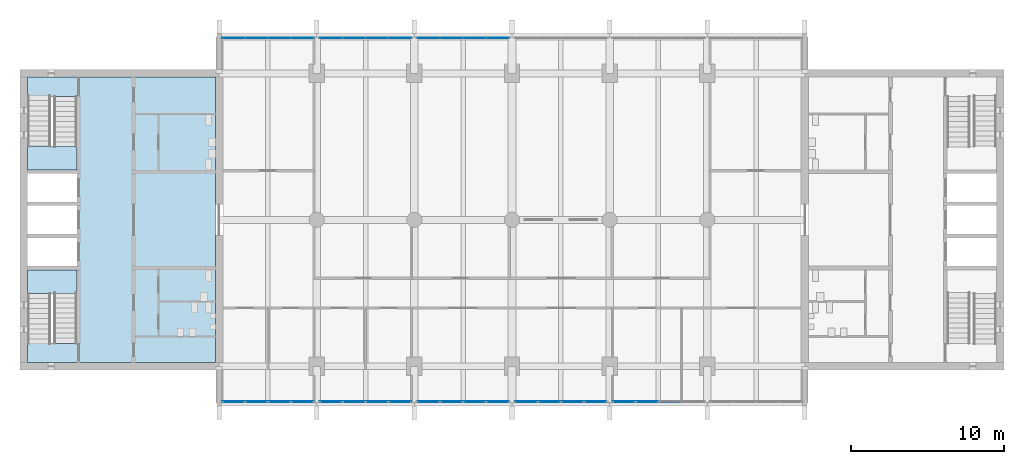
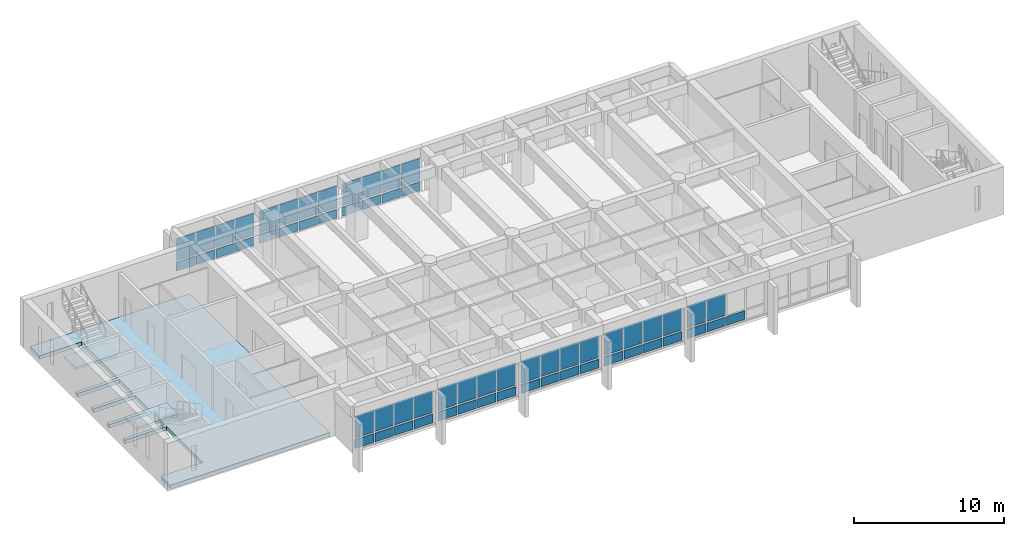
# One storey, part 7 of 15: 61 plates, 3 slabs, 10 elements without a shape of their own.
"""IFC4 building model written with IfcOpenShell, lengths in metres."""

from ifc_helpers import new_model, si_unit, direction, frame, origin, origin_2d, place, context, subcontext, project, spatial, polyline, rectangle, outline, extrude, material, layer, layer_set, type_object, element, aggregate, save


model = new_model("IFC4")

# Units and contexts
model_context = context("Model", 3, precision=1e-05, world=origin(), true_north=direction((0.0, 1.0)))
body_context = subcontext(model_context, "Body", "Model", "MODEL_VIEW")
ifc_project = project(units=[si_unit("LENGTHUNIT", "METRE"), si_unit("AREAUNIT", "SQUARE_METRE"), si_unit("VOLUMEUNIT", "CUBIC_METRE"), si_unit("PLANEANGLEUNIT", "RADIAN"), si_unit("MASSUNIT", "GRAM", prefix="KILO")], contexts=[model_context])

# Site, building, storey
site_placement = place(None, origin())
site = spatial("IfcSite", under=ifc_project, at=site_placement, CompositionType="ELEMENT")
building_placement = place(site_placement, origin())
building = spatial("IfcBuilding", under=site, at=building_placement, Name="Fogon Plaza Fire Station and Headquarters Tower", CompositionType="ELEMENT")
storey_placement = place(building_placement, frame((0.0, 0.0, 28.800048828125)))
storey = spatial("IfcBuildingStorey", under=building, at=storey_placement, Name="L07", CompositionType="ELEMENT", Elevation=28.800048828125)

# Slab
ifc_material_1 = material(Name="Concrete C40", Category="concrete")
ifc_layer_1 = layer(ifc_material_1, 0.300048828125)
ifc_layer_set_1 = layer_set([ifc_layer_1], Name="Concrete C40")
slab_type_1 = type_object("IfcSlabType", Name="Core Floor Slab RC 300", PredefinedType="FLOOR", material=ifc_layer_set_1)
slab_1_placement = place(storey_placement, frame((0.0, 0.0, -0.300048828125)))
element("IfcSlab", 1, at=slab_1_placement, inside=storey, type_object=slab_type_1, Name="Core A floor", PredefinedType="FLOOR", context=body_context, shape_type="SweptSolid", body=[
    extrude(outline(polyline([(13.050048828125, 35.110107421875), (13.050048828125, 33.85009765625), (25.35009765625, 33.85009765625), (25.35009765625, 52.550048828125), (13.050048828125, 52.550048828125), (13.050048828125, 51.2900390625), (16.27490234375, 51.2900390625), (16.27490234375, 46.47509765625), (13.050048828125, 46.47509765625), (13.050048828125, 46.22509765625), (16.27490234375, 46.22509765625), (16.27490234375, 44.375), (13.050048828125, 44.375), (13.050048828125, 44.125), (16.27490234375, 44.125), (16.27490234375, 42.27490234375), (13.050048828125, 42.27490234375), (13.050048828125, 42.02490234375), (16.27490234375, 42.02490234375), (16.27490234375, 40.175048828125), (13.050048828125, 40.175048828125), (13.050048828125, 39.925048828125), (16.27490234375, 39.925048828125), (16.27490234375, 35.110107421875), (13.050048828125, 35.110107421875)])), origin(), (0.0, 0.0, 1.0), 0.300048828125),
])

# Curtain wall, plates
ifc_material_2 = material(Name="Aluminium and glass", Category="aluminium")
ifc_layer_2 = layer(ifc_material_2, 0.14990234375)
ifc_layer_set_2 = layer_set([ifc_layer_2], Name="Aluminium and glass")
curtain_wall_type = type_object("IfcCurtainWallType", Name="Unitised Curtain Wall Run 6100x2880", PredefinedType="NOTDEFINED", material=ifc_layer_set_2)
curtain_wall_1_placement = place(storey_placement, origin())
curtain_wall_1 = element("IfcCurtainWall", 2, at=curtain_wall_1_placement, inside=storey, type_object=curtain_wall_type, Name="CW-6100x2880 S1 L07", PredefinedType="NOTDEFINED")
ifc_material_3 = material(Name="Insulated aluminium spandrel", Category="aluminium")
ifc_layer_3 = layer(ifc_material_3, 0.06005859375)
ifc_layer_set_3 = layer_set([ifc_layer_3], Name="Insulated aluminium spandrel")
plate_type_1 = type_object("IfcPlateType", Name="Insulated Spandrel Panel", PredefinedType="CURTAIN_PANEL", material=ifc_layer_set_3)
plate_1_placement = place(storey_placement, frame((26.534912109375, 31.280029296875, 0.1201171875), z_axis=(0.0, 0.0, 1.0), x_axis=(1.0, 0.0, 0.0)))
plate_1 = element("IfcPlate", 3, at=plate_1_placement, type_object=plate_type_1, Name="SP1 panel 1.1", PredefinedType="CURTAIN_PANEL", context=body_context, shape_type="SweptSolid", body=[
    extrude(rectangle(XDim=1.449951171875, YDim=0.06005859375, at=origin_2d()), origin(), (0.0, 0.0, 1.0), 0.719970703125),
])
plate_2_placement = place(storey_placement, frame((28.044921875, 31.280029296875, 0.1201171875), z_axis=(0.0, 0.0, 1.0), x_axis=(1.0, 0.0, 0.0)))
plate_2 = element("IfcPlate", 4, at=plate_2_placement, type_object=plate_type_1, Name="SP1 panel 2.1", PredefinedType="CURTAIN_PANEL", context=body_context, shape_type="SweptSolid", body=[
    extrude(rectangle(XDim=1.449951171875, YDim=0.06005859375, at=origin_2d()), origin(), (0.0, 0.0, 1.0), 0.719970703125),
])
plate_3_placement = place(storey_placement, frame((29.554931640625, 31.280029296875, 0.1201171875), z_axis=(0.0, 0.0, 1.0), x_axis=(1.0, 0.0, 0.0)))
plate_3 = element("IfcPlate", 5, at=plate_3_placement, type_object=plate_type_1, Name="SP1 panel 3.1", PredefinedType="CURTAIN_PANEL", context=body_context, shape_type="SweptSolid", body=[
    extrude(rectangle(XDim=1.449951171875, YDim=0.06005859375, at=origin_2d()), origin(), (0.0, 0.0, 1.0), 0.719970703125),
])
plate_4_placement = place(storey_placement, frame((31.06494140625, 31.280029296875, 0.1201171875), z_axis=(0.0, 0.0, 1.0), x_axis=(1.0, 0.0, 0.0)))
plate_4 = element("IfcPlate", 6, at=plate_4_placement, type_object=plate_type_1, Name="SP1 panel 4.1", PredefinedType="CURTAIN_PANEL", context=body_context, shape_type="SweptSolid", body=[
    extrude(rectangle(XDim=1.449951171875, YDim=0.06005859375, at=origin_2d()), origin(), (0.0, 0.0, 1.0), 0.719970703125),
])

curtain_wall_2_placement = place(storey_placement, origin())
curtain_wall_2 = element("IfcCurtainWall", 7, at=curtain_wall_2_placement, inside=storey, type_object=curtain_wall_type, Name="CW-6100x2880 S2 L07", PredefinedType="NOTDEFINED")
plate_5_placement = place(storey_placement, frame((32.93505859375, 31.280029296875, 0.1201171875), z_axis=(0.0, 0.0, 1.0), x_axis=(1.0, 0.0, 0.0)))
plate_5 = element("IfcPlate", 8, at=plate_5_placement, type_object=plate_type_1, Name="SP1 panel 1.1", PredefinedType="CURTAIN_PANEL", context=body_context, shape_type="SweptSolid", body=[
    extrude(rectangle(XDim=1.449951171875, YDim=0.06005859375, at=origin_2d()), origin(), (0.0, 0.0, 1.0), 0.719970703125),
])
plate_6_placement = place(storey_placement, frame((34.445068359375, 31.280029296875, 0.1201171875), z_axis=(0.0, 0.0, 1.0), x_axis=(1.0, 0.0, 0.0)))
plate_6 = element("IfcPlate", 9, at=plate_6_placement, type_object=plate_type_1, Name="SP1 panel 2.1", PredefinedType="CURTAIN_PANEL", context=body_context, shape_type="SweptSolid", body=[
    extrude(rectangle(XDim=1.449951171875, YDim=0.06005859375, at=origin_2d()), origin(), (0.0, 0.0, 1.0), 0.719970703125),
])
plate_7_placement = place(storey_placement, frame((35.955078125, 31.280029296875, 0.1201171875), z_axis=(0.0, 0.0, 1.0), x_axis=(1.0, 0.0, 0.0)))
plate_7 = element("IfcPlate", 10, at=plate_7_placement, type_object=plate_type_1, Name="SP1 panel 3.1", PredefinedType="CURTAIN_PANEL", context=body_context, shape_type="SweptSolid", body=[
    extrude(rectangle(XDim=1.449951171875, YDim=0.06005859375, at=origin_2d()), origin(), (0.0, 0.0, 1.0), 0.719970703125),
])
plate_8_placement = place(storey_placement, frame((37.465087890625, 31.280029296875, 0.1201171875), z_axis=(0.0, 0.0, 1.0), x_axis=(1.0, 0.0, 0.0)))
plate_8 = element("IfcPlate", 11, at=plate_8_placement, type_object=plate_type_1, Name="SP1 panel 4.1", PredefinedType="CURTAIN_PANEL", context=body_context, shape_type="SweptSolid", body=[
    extrude(rectangle(XDim=1.449951171875, YDim=0.06005859375, at=origin_2d()), origin(), (0.0, 0.0, 1.0), 0.719970703125),
])

curtain_wall_3_placement = place(storey_placement, origin())
curtain_wall_3 = element("IfcCurtainWall", 12, at=curtain_wall_3_placement, inside=storey, type_object=curtain_wall_type, Name="CW-6100x2880 S3 L07", PredefinedType="NOTDEFINED")
plate_9_placement = place(storey_placement, frame((39.3349609375, 31.280029296875, 0.1201171875), z_axis=(0.0, 0.0, 1.0), x_axis=(1.0, 0.0, 0.0)))
plate_9 = element("IfcPlate", 13, at=plate_9_placement, type_object=plate_type_1, Name="SP1 panel 1.1", PredefinedType="CURTAIN_PANEL", context=body_context, shape_type="SweptSolid", body=[
    extrude(rectangle(XDim=1.449951171875, YDim=0.06005859375, at=origin_2d()), origin(), (0.0, 0.0, 1.0), 0.719970703125),
])
plate_10_placement = place(storey_placement, frame((40.844970703125, 31.280029296875, 0.1201171875), z_axis=(0.0, 0.0, 1.0), x_axis=(1.0, 0.0, 0.0)))
plate_10 = element("IfcPlate", 14, at=plate_10_placement, type_object=plate_type_1, Name="SP1 panel 2.1", PredefinedType="CURTAIN_PANEL", context=body_context, shape_type="SweptSolid", body=[
    extrude(rectangle(XDim=1.449951171875, YDim=0.06005859375, at=origin_2d()), origin(), (0.0, 0.0, 1.0), 0.719970703125),
])
plate_11_placement = place(storey_placement, frame((42.35498046875, 31.280029296875, 0.1201171875), z_axis=(0.0, 0.0, 1.0), x_axis=(1.0, 0.0, 0.0)))
plate_11 = element("IfcPlate", 15, at=plate_11_placement, type_object=plate_type_1, Name="SP1 panel 3.1", PredefinedType="CURTAIN_PANEL", context=body_context, shape_type="SweptSolid", body=[
    extrude(rectangle(XDim=1.449951171875, YDim=0.06005859375, at=origin_2d()), origin(), (0.0, 0.0, 1.0), 0.719970703125),
])
plate_12_placement = place(storey_placement, frame((43.864990234375, 31.280029296875, 0.1201171875), z_axis=(0.0, 0.0, 1.0), x_axis=(1.0, 0.0, 0.0)))
plate_12 = element("IfcPlate", 16, at=plate_12_placement, type_object=plate_type_1, Name="SP1 panel 4.1", PredefinedType="CURTAIN_PANEL", context=body_context, shape_type="SweptSolid", body=[
    extrude(rectangle(XDim=1.449951171875, YDim=0.06005859375, at=origin_2d()), origin(), (0.0, 0.0, 1.0), 0.719970703125),
])

curtain_wall_4_placement = place(storey_placement, origin())
curtain_wall_4 = element("IfcCurtainWall", 17, at=curtain_wall_4_placement, inside=storey, type_object=curtain_wall_type, Name="CW-6100x2880 S4 L07", PredefinedType="NOTDEFINED")
plate_13_placement = place(storey_placement, frame((45.735107421875, 31.280029296875, 0.1201171875), z_axis=(0.0, 0.0, 1.0), x_axis=(1.0, 0.0, 0.0)))
plate_13 = element("IfcPlate", 18, at=plate_13_placement, type_object=plate_type_1, Name="SP1 panel 1.1", PredefinedType="CURTAIN_PANEL", context=body_context, shape_type="SweptSolid", body=[
    extrude(rectangle(XDim=1.449951171875, YDim=0.06005859375, at=origin_2d()), origin(), (0.0, 0.0, 1.0), 0.719970703125),
])
plate_14_placement = place(storey_placement, frame((47.2451171875, 31.280029296875, 0.1201171875), z_axis=(0.0, 0.0, 1.0), x_axis=(1.0, 0.0, 0.0)))
plate_14 = element("IfcPlate", 19, at=plate_14_placement, type_object=plate_type_1, Name="SP1 panel 2.1", PredefinedType="CURTAIN_PANEL", context=body_context, shape_type="SweptSolid", body=[
    extrude(rectangle(XDim=1.449951171875, YDim=0.06005859375, at=origin_2d()), origin(), (0.0, 0.0, 1.0), 0.719970703125),
])
plate_15_placement = place(storey_placement, frame((48.7548828125, 31.280029296875, 0.1201171875), z_axis=(0.0, 0.0, 1.0), x_axis=(1.0, 0.0, 0.0)))
plate_15 = element("IfcPlate", 20, at=plate_15_placement, type_object=plate_type_1, Name="SP1 panel 3.1", PredefinedType="CURTAIN_PANEL", context=body_context, shape_type="SweptSolid", body=[
    extrude(rectangle(XDim=1.449951171875, YDim=0.06005859375, at=origin_2d()), origin(), (0.0, 0.0, 1.0), 0.719970703125),
])
plate_16_placement = place(storey_placement, frame((50.264892578125, 31.280029296875, 0.1201171875), z_axis=(0.0, 0.0, 1.0), x_axis=(1.0, 0.0, 0.0)))
plate_16 = element("IfcPlate", 21, at=plate_16_placement, type_object=plate_type_1, Name="SP1 panel 4.1", PredefinedType="CURTAIN_PANEL", context=body_context, shape_type="SweptSolid", body=[
    extrude(rectangle(XDim=1.449951171875, YDim=0.06005859375, at=origin_2d()), origin(), (0.0, 0.0, 1.0), 0.719970703125),
])

curtain_wall_5_placement = place(storey_placement, origin())
curtain_wall_5 = element("IfcCurtainWall", 22, at=curtain_wall_5_placement, inside=storey, type_object=curtain_wall_type, Name="CW-6100x2880 S5 L07", PredefinedType="NOTDEFINED")
plate_17_placement = place(storey_placement, frame((52.135009765625, 31.280029296875, 0.1201171875), z_axis=(0.0, 0.0, 1.0), x_axis=(1.0, 0.0, 0.0)))
plate_17 = element("IfcPlate", 23, at=plate_17_placement, type_object=plate_type_1, Name="SP1 panel 1.1", PredefinedType="CURTAIN_PANEL", context=body_context, shape_type="SweptSolid", body=[
    extrude(rectangle(XDim=1.449951171875, YDim=0.06005859375, at=origin_2d()), origin(), (0.0, 0.0, 1.0), 0.719970703125),
])
plate_18_placement = place(storey_placement, frame((53.64501953125, 31.280029296875, 0.1201171875), z_axis=(0.0, 0.0, 1.0), x_axis=(1.0, 0.0, 0.0)))
plate_18 = element("IfcPlate", 24, at=plate_18_placement, type_object=plate_type_1, Name="SP1 panel 2.1", PredefinedType="CURTAIN_PANEL", context=body_context, shape_type="SweptSolid", body=[
    extrude(rectangle(XDim=1.449951171875, YDim=0.06005859375, at=origin_2d()), origin(), (0.0, 0.0, 1.0), 0.719970703125),
])
plate_19_placement = place(storey_placement, frame((55.155029296875, 31.280029296875, 0.1201171875), z_axis=(0.0, 0.0, 1.0), x_axis=(1.0, 0.0, 0.0)))
plate_19 = element("IfcPlate", 25, at=plate_19_placement, type_object=plate_type_1, Name="SP1 panel 3.1", PredefinedType="CURTAIN_PANEL", context=body_context, shape_type="SweptSolid", body=[
    extrude(rectangle(XDim=1.449951171875, YDim=0.06005859375, at=origin_2d()), origin(), (0.0, 0.0, 1.0), 0.719970703125),
])

curtain_wall_6_placement = place(storey_placement, origin())
curtain_wall_6 = element("IfcCurtainWall", 26, at=curtain_wall_6_placement, inside=storey, type_object=curtain_wall_type, Name="CW-6100x2880 N1 L07", PredefinedType="NOTDEFINED")
plate_20_placement = place(storey_placement, frame((26.534912109375, 55.1201171875, 0.1201171875), z_axis=(0.0, 0.0, 1.0), x_axis=(1.0, 0.0, 0.0)))
plate_20 = element("IfcPlate", 27, at=plate_20_placement, type_object=plate_type_1, Name="SP1 panel 1.1", PredefinedType="CURTAIN_PANEL", context=body_context, shape_type="SweptSolid", body=[
    extrude(rectangle(XDim=1.449951171875, YDim=0.06005859375, at=origin_2d()), origin(), (0.0, 0.0, 1.0), 0.719970703125),
])
plate_21_placement = place(storey_placement, frame((28.044921875, 55.1201171875, 0.1201171875), z_axis=(0.0, 0.0, 1.0), x_axis=(1.0, 0.0, 0.0)))
plate_21 = element("IfcPlate", 28, at=plate_21_placement, type_object=plate_type_1, Name="SP1 panel 2.1", PredefinedType="CURTAIN_PANEL", context=body_context, shape_type="SweptSolid", body=[
    extrude(rectangle(XDim=1.449951171875, YDim=0.06005859375, at=origin_2d()), origin(), (0.0, 0.0, 1.0), 0.719970703125),
])
plate_22_placement = place(storey_placement, frame((29.554931640625, 55.1201171875, 0.1201171875), z_axis=(0.0, 0.0, 1.0), x_axis=(1.0, 0.0, 0.0)))
plate_22 = element("IfcPlate", 29, at=plate_22_placement, type_object=plate_type_1, Name="SP1 panel 3.1", PredefinedType="CURTAIN_PANEL", context=body_context, shape_type="SweptSolid", body=[
    extrude(rectangle(XDim=1.449951171875, YDim=0.06005859375, at=origin_2d()), origin(), (0.0, 0.0, 1.0), 0.719970703125),
])
plate_23_placement = place(storey_placement, frame((31.06494140625, 55.1201171875, 0.1201171875), z_axis=(0.0, 0.0, 1.0), x_axis=(1.0, 0.0, 0.0)))
plate_23 = element("IfcPlate", 30, at=plate_23_placement, type_object=plate_type_1, Name="SP1 panel 4.1", PredefinedType="CURTAIN_PANEL", context=body_context, shape_type="SweptSolid", body=[
    extrude(rectangle(XDim=1.449951171875, YDim=0.06005859375, at=origin_2d()), origin(), (0.0, 0.0, 1.0), 0.719970703125),
])

curtain_wall_7_placement = place(storey_placement, origin())
curtain_wall_7 = element("IfcCurtainWall", 31, at=curtain_wall_7_placement, inside=storey, type_object=curtain_wall_type, Name="CW-6100x2880 N2 L07", PredefinedType="NOTDEFINED")
plate_24_placement = place(storey_placement, frame((32.93505859375, 55.1201171875, 0.1201171875), z_axis=(0.0, 0.0, 1.0), x_axis=(1.0, 0.0, 0.0)))
plate_24 = element("IfcPlate", 32, at=plate_24_placement, type_object=plate_type_1, Name="SP1 panel 1.1", PredefinedType="CURTAIN_PANEL", context=body_context, shape_type="SweptSolid", body=[
    extrude(rectangle(XDim=1.449951171875, YDim=0.06005859375, at=origin_2d()), origin(), (0.0, 0.0, 1.0), 0.719970703125),
])
plate_25_placement = place(storey_placement, frame((34.445068359375, 55.1201171875, 0.1201171875), z_axis=(0.0, 0.0, 1.0), x_axis=(1.0, 0.0, 0.0)))
plate_25 = element("IfcPlate", 33, at=plate_25_placement, type_object=plate_type_1, Name="SP1 panel 2.1", PredefinedType="CURTAIN_PANEL", context=body_context, shape_type="SweptSolid", body=[
    extrude(rectangle(XDim=1.449951171875, YDim=0.06005859375, at=origin_2d()), origin(), (0.0, 0.0, 1.0), 0.719970703125),
])
plate_26_placement = place(storey_placement, frame((35.955078125, 55.1201171875, 0.1201171875), z_axis=(0.0, 0.0, 1.0), x_axis=(1.0, 0.0, 0.0)))
plate_26 = element("IfcPlate", 34, at=plate_26_placement, type_object=plate_type_1, Name="SP1 panel 3.1", PredefinedType="CURTAIN_PANEL", context=body_context, shape_type="SweptSolid", body=[
    extrude(rectangle(XDim=1.449951171875, YDim=0.06005859375, at=origin_2d()), origin(), (0.0, 0.0, 1.0), 0.719970703125),
])
plate_27_placement = place(storey_placement, frame((37.465087890625, 55.1201171875, 0.1201171875), z_axis=(0.0, 0.0, 1.0), x_axis=(1.0, 0.0, 0.0)))
plate_27 = element("IfcPlate", 35, at=plate_27_placement, type_object=plate_type_1, Name="SP1 panel 4.1", PredefinedType="CURTAIN_PANEL", context=body_context, shape_type="SweptSolid", body=[
    extrude(rectangle(XDim=1.449951171875, YDim=0.06005859375, at=origin_2d()), origin(), (0.0, 0.0, 1.0), 0.719970703125),
])

curtain_wall_8_placement = place(storey_placement, origin())
curtain_wall_8 = element("IfcCurtainWall", 36, at=curtain_wall_8_placement, inside=storey, type_object=curtain_wall_type, Name="CW-6100x2880 N3 L07", PredefinedType="NOTDEFINED")
plate_28_placement = place(storey_placement, frame((39.3349609375, 55.1201171875, 0.1201171875), z_axis=(0.0, 0.0, 1.0), x_axis=(1.0, 0.0, 0.0)))
plate_28 = element("IfcPlate", 37, at=plate_28_placement, type_object=plate_type_1, Name="SP1 panel 1.1", PredefinedType="CURTAIN_PANEL", context=body_context, shape_type="SweptSolid", body=[
    extrude(rectangle(XDim=1.449951171875, YDim=0.06005859375, at=origin_2d()), origin(), (0.0, 0.0, 1.0), 0.719970703125),
])
plate_29_placement = place(storey_placement, frame((40.844970703125, 55.1201171875, 0.1201171875), z_axis=(0.0, 0.0, 1.0), x_axis=(1.0, 0.0, 0.0)))
plate_29 = element("IfcPlate", 38, at=plate_29_placement, type_object=plate_type_1, Name="SP1 panel 2.1", PredefinedType="CURTAIN_PANEL", context=body_context, shape_type="SweptSolid", body=[
    extrude(rectangle(XDim=1.449951171875, YDim=0.06005859375, at=origin_2d()), origin(), (0.0, 0.0, 1.0), 0.719970703125),
])
plate_30_placement = place(storey_placement, frame((42.35498046875, 55.1201171875, 0.1201171875), z_axis=(0.0, 0.0, 1.0), x_axis=(1.0, 0.0, 0.0)))
plate_30 = element("IfcPlate", 39, at=plate_30_placement, type_object=plate_type_1, Name="SP1 panel 3.1", PredefinedType="CURTAIN_PANEL", context=body_context, shape_type="SweptSolid", body=[
    extrude(rectangle(XDim=1.449951171875, YDim=0.06005859375, at=origin_2d()), origin(), (0.0, 0.0, 1.0), 0.719970703125),
])
plate_31_placement = place(storey_placement, frame((43.864990234375, 55.1201171875, 0.1201171875), z_axis=(0.0, 0.0, 1.0), x_axis=(1.0, 0.0, 0.0)))
plate_31 = element("IfcPlate", 40, at=plate_31_placement, type_object=plate_type_1, Name="SP1 panel 4.1", PredefinedType="CURTAIN_PANEL", context=body_context, shape_type="SweptSolid", body=[
    extrude(rectangle(XDim=1.449951171875, YDim=0.06005859375, at=origin_2d()), origin(), (0.0, 0.0, 1.0), 0.719970703125),
])

# Stair, slab
ifc_material_4 = material(Name="Concrete C40", Category="concrete")
stair_type = type_object("IfcStairType", Name="Exit Stair Two Flights", PredefinedType="TWO_STRAIGHT_RUN_STAIR", material=ifc_material_4)
stair_1_placement = place(storey_placement, origin())
stair_1 = element("IfcStair", 41, at=stair_1_placement, inside=storey, type_object=stair_type, Name="Stair ST1", PredefinedType="TWO_STRAIGHT_RUN_STAIR")
ifc_material_5 = material(Name="Concrete C40", Category="concrete")
ifc_layer_4 = layer(ifc_material_5, 0.300048828125)
ifc_layer_set_4 = layer_set([ifc_layer_4], Name="Concrete C40")
slab_type_2 = type_object("IfcSlabType", Name="Stair Landing RC 300", PredefinedType="LANDING", material=ifc_layer_set_4)
slab_2_placement = place(storey_placement, frame((0.0, 0.0, 1.75)))
slab_2 = element("IfcSlab", 42, at=slab_2_placement, type_object=slab_type_2, Name="ST1 landing L09", PredefinedType="LANDING", context=body_context, shape_type="SweptSolid", body=[
    extrude(outline(polyline([(16.27490234375, 38.375), (16.27490234375, 39.925048828125), (13.050048828125, 39.925048828125), (13.050048828125, 38.375), (16.27490234375, 38.375)])), origin(), (0.0, 0.0, 1.0), 0.199951171875),
])
aggregate(stair_1, [slab_2])

stair_2_placement = place(storey_placement, origin())
stair_2 = element("IfcStair", 43, at=stair_2_placement, inside=storey, type_object=stair_type, Name="Stair ST2", PredefinedType="TWO_STRAIGHT_RUN_STAIR")
slab_3_placement = place(storey_placement, frame((0.0, 0.0, 1.75)))
slab_3 = element("IfcSlab", 44, at=slab_3_placement, type_object=slab_type_2, Name="ST2 landing L09", PredefinedType="LANDING", context=body_context, shape_type="SweptSolid", body=[
    extrude(outline(polyline([(16.27490234375, 46.47509765625), (16.27490234375, 48.02490234375), (13.050048828125, 48.02490234375), (13.050048828125, 46.47509765625), (16.27490234375, 46.47509765625)])), origin(), (0.0, 0.0, 1.0), 0.199951171875),
])
aggregate(stair_2, [slab_3])

# Plate
ifc_material_6 = material(Name="Low-e double glazing", Category="glass")
ifc_layer_5 = layer(ifc_material_6, 0.028076171875)
ifc_layer_set_5 = layer_set([ifc_layer_5], Name="Low-e double glazing")
plate_type_2 = type_object("IfcPlateType", Name="Vision Glass Panel 1450x1800", PredefinedType="CURTAIN_PANEL", material=ifc_layer_set_5)
plate_32_placement = place(storey_placement, frame((26.534912109375, 31.280029296875, 0.9599609375), z_axis=(0.0, 0.0, 1.0), x_axis=(1.0, 0.0, 0.0)))
plate_32 = element("IfcPlate", 45, at=plate_32_placement, type_object=plate_type_2, Name="VG-1450x1800 panel 1.2", PredefinedType="CURTAIN_PANEL", context=body_context, shape_type="SweptSolid", body=[
    extrude(rectangle(XDim=1.449951171875, YDim=0.028076171875, at=origin_2d()), origin(), (0.0, 0.0, 1.0), 1.800048828125),
])

plate_33_placement = place(storey_placement, frame((28.044921875, 31.280029296875, 0.9599609375), z_axis=(0.0, 0.0, 1.0), x_axis=(1.0, 0.0, 0.0)))
plate_33 = element("IfcPlate", 46, at=plate_33_placement, type_object=plate_type_2, Name="VG-1450x1800 panel 2.2", PredefinedType="CURTAIN_PANEL", context=body_context, shape_type="SweptSolid", body=[
    extrude(rectangle(XDim=1.449951171875, YDim=0.028076171875, at=origin_2d()), origin(), (0.0, 0.0, 1.0), 1.800048828125),
])

plate_34_placement = place(storey_placement, frame((29.554931640625, 31.280029296875, 0.9599609375), z_axis=(0.0, 0.0, 1.0), x_axis=(1.0, 0.0, 0.0)))
plate_34 = element("IfcPlate", 47, at=plate_34_placement, type_object=plate_type_2, Name="VG-1450x1800 panel 3.2", PredefinedType="CURTAIN_PANEL", context=body_context, shape_type="SweptSolid", body=[
    extrude(rectangle(XDim=1.449951171875, YDim=0.028076171875, at=origin_2d()), origin(), (0.0, 0.0, 1.0), 1.800048828125),
])

plate_35_placement = place(storey_placement, frame((31.06494140625, 31.280029296875, 0.9599609375), z_axis=(0.0, 0.0, 1.0), x_axis=(1.0, 0.0, 0.0)))
plate_35 = element("IfcPlate", 48, at=plate_35_placement, type_object=plate_type_2, Name="VG-1450x1800 panel 4.2", PredefinedType="CURTAIN_PANEL", context=body_context, shape_type="SweptSolid", body=[
    extrude(rectangle(XDim=1.449951171875, YDim=0.028076171875, at=origin_2d()), origin(), (0.0, 0.0, 1.0), 1.800048828125),
])

aggregate(curtain_wall_1, [plate_1, plate_32, plate_2, plate_33, plate_3, plate_34, plate_4, plate_35])

plate_36_placement = place(storey_placement, frame((32.93505859375, 31.280029296875, 0.9599609375), z_axis=(0.0, 0.0, 1.0), x_axis=(1.0, 0.0, 0.0)))
plate_36 = element("IfcPlate", 49, at=plate_36_placement, type_object=plate_type_2, Name="VG-1450x1800 panel 1.2", PredefinedType="CURTAIN_PANEL", context=body_context, shape_type="SweptSolid", body=[
    extrude(rectangle(XDim=1.449951171875, YDim=0.028076171875, at=origin_2d()), origin(), (0.0, 0.0, 1.0), 1.800048828125),
])

plate_37_placement = place(storey_placement, frame((34.445068359375, 31.280029296875, 0.9599609375), z_axis=(0.0, 0.0, 1.0), x_axis=(1.0, 0.0, 0.0)))
plate_37 = element("IfcPlate", 50, at=plate_37_placement, type_object=plate_type_2, Name="VG-1450x1800 panel 2.2", PredefinedType="CURTAIN_PANEL", context=body_context, shape_type="SweptSolid", body=[
    extrude(rectangle(XDim=1.449951171875, YDim=0.028076171875, at=origin_2d()), origin(), (0.0, 0.0, 1.0), 1.800048828125),
])

plate_38_placement = place(storey_placement, frame((35.955078125, 31.280029296875, 0.9599609375), z_axis=(0.0, 0.0, 1.0), x_axis=(1.0, 0.0, 0.0)))
plate_38 = element("IfcPlate", 51, at=plate_38_placement, type_object=plate_type_2, Name="VG-1450x1800 panel 3.2", PredefinedType="CURTAIN_PANEL", context=body_context, shape_type="SweptSolid", body=[
    extrude(rectangle(XDim=1.449951171875, YDim=0.028076171875, at=origin_2d()), origin(), (0.0, 0.0, 1.0), 1.800048828125),
])

plate_39_placement = place(storey_placement, frame((37.465087890625, 31.280029296875, 0.9599609375), z_axis=(0.0, 0.0, 1.0), x_axis=(1.0, 0.0, 0.0)))
plate_39 = element("IfcPlate", 52, at=plate_39_placement, type_object=plate_type_2, Name="VG-1450x1800 panel 4.2", PredefinedType="CURTAIN_PANEL", context=body_context, shape_type="SweptSolid", body=[
    extrude(rectangle(XDim=1.449951171875, YDim=0.028076171875, at=origin_2d()), origin(), (0.0, 0.0, 1.0), 1.800048828125),
])

aggregate(curtain_wall_2, [plate_5, plate_36, plate_6, plate_37, plate_7, plate_38, plate_8, plate_39])

plate_40_placement = place(storey_placement, frame((39.3349609375, 31.280029296875, 0.9599609375), z_axis=(0.0, 0.0, 1.0), x_axis=(1.0, 0.0, 0.0)))
plate_40 = element("IfcPlate", 53, at=plate_40_placement, type_object=plate_type_2, Name="VG-1450x1800 panel 1.2", PredefinedType="CURTAIN_PANEL", context=body_context, shape_type="SweptSolid", body=[
    extrude(rectangle(XDim=1.449951171875, YDim=0.028076171875, at=origin_2d()), origin(), (0.0, 0.0, 1.0), 1.800048828125),
])

plate_41_placement = place(storey_placement, frame((40.844970703125, 31.280029296875, 0.9599609375), z_axis=(0.0, 0.0, 1.0), x_axis=(1.0, 0.0, 0.0)))
plate_41 = element("IfcPlate", 54, at=plate_41_placement, type_object=plate_type_2, Name="VG-1450x1800 panel 2.2", PredefinedType="CURTAIN_PANEL", context=body_context, shape_type="SweptSolid", body=[
    extrude(rectangle(XDim=1.449951171875, YDim=0.028076171875, at=origin_2d()), origin(), (0.0, 0.0, 1.0), 1.800048828125),
])

plate_42_placement = place(storey_placement, frame((42.35498046875, 31.280029296875, 0.9599609375), z_axis=(0.0, 0.0, 1.0), x_axis=(1.0, 0.0, 0.0)))
plate_42 = element("IfcPlate", 55, at=plate_42_placement, type_object=plate_type_2, Name="VG-1450x1800 panel 3.2", PredefinedType="CURTAIN_PANEL", context=body_context, shape_type="SweptSolid", body=[
    extrude(rectangle(XDim=1.449951171875, YDim=0.028076171875, at=origin_2d()), origin(), (0.0, 0.0, 1.0), 1.800048828125),
])

plate_43_placement = place(storey_placement, frame((43.864990234375, 31.280029296875, 0.9599609375), z_axis=(0.0, 0.0, 1.0), x_axis=(1.0, 0.0, 0.0)))
plate_43 = element("IfcPlate", 56, at=plate_43_placement, type_object=plate_type_2, Name="VG-1450x1800 panel 4.2", PredefinedType="CURTAIN_PANEL", context=body_context, shape_type="SweptSolid", body=[
    extrude(rectangle(XDim=1.449951171875, YDim=0.028076171875, at=origin_2d()), origin(), (0.0, 0.0, 1.0), 1.800048828125),
])

aggregate(curtain_wall_3, [plate_9, plate_40, plate_10, plate_41, plate_11, plate_42, plate_12, plate_43])

plate_44_placement = place(storey_placement, frame((45.735107421875, 31.280029296875, 0.9599609375), z_axis=(0.0, 0.0, 1.0), x_axis=(1.0, 0.0, 0.0)))
plate_44 = element("IfcPlate", 57, at=plate_44_placement, type_object=plate_type_2, Name="VG-1450x1800 panel 1.2", PredefinedType="CURTAIN_PANEL", context=body_context, shape_type="SweptSolid", body=[
    extrude(rectangle(XDim=1.449951171875, YDim=0.028076171875, at=origin_2d()), origin(), (0.0, 0.0, 1.0), 1.800048828125),
])

plate_45_placement = place(storey_placement, frame((47.2451171875, 31.280029296875, 0.9599609375), z_axis=(0.0, 0.0, 1.0), x_axis=(1.0, 0.0, 0.0)))
plate_45 = element("IfcPlate", 58, at=plate_45_placement, type_object=plate_type_2, Name="VG-1450x1800 panel 2.2", PredefinedType="CURTAIN_PANEL", context=body_context, shape_type="SweptSolid", body=[
    extrude(rectangle(XDim=1.449951171875, YDim=0.028076171875, at=origin_2d()), origin(), (0.0, 0.0, 1.0), 1.800048828125),
])

plate_46_placement = place(storey_placement, frame((48.7548828125, 31.280029296875, 0.9599609375), z_axis=(0.0, 0.0, 1.0), x_axis=(1.0, 0.0, 0.0)))
plate_46 = element("IfcPlate", 59, at=plate_46_placement, type_object=plate_type_2, Name="VG-1450x1800 panel 3.2", PredefinedType="CURTAIN_PANEL", context=body_context, shape_type="SweptSolid", body=[
    extrude(rectangle(XDim=1.449951171875, YDim=0.028076171875, at=origin_2d()), origin(), (0.0, 0.0, 1.0), 1.800048828125),
])

plate_47_placement = place(storey_placement, frame((50.264892578125, 31.280029296875, 0.9599609375), z_axis=(0.0, 0.0, 1.0), x_axis=(1.0, 0.0, 0.0)))
plate_47 = element("IfcPlate", 60, at=plate_47_placement, type_object=plate_type_2, Name="VG-1450x1800 panel 4.2", PredefinedType="CURTAIN_PANEL", context=body_context, shape_type="SweptSolid", body=[
    extrude(rectangle(XDim=1.449951171875, YDim=0.028076171875, at=origin_2d()), origin(), (0.0, 0.0, 1.0), 1.800048828125),
])

aggregate(curtain_wall_4, [plate_13, plate_44, plate_14, plate_45, plate_15, plate_46, plate_16, plate_47])

plate_48_placement = place(storey_placement, frame((52.135009765625, 31.280029296875, 0.9599609375), z_axis=(0.0, 0.0, 1.0), x_axis=(1.0, 0.0, 0.0)))
plate_48 = element("IfcPlate", 61, at=plate_48_placement, type_object=plate_type_2, Name="VG-1450x1800 panel 1.2", PredefinedType="CURTAIN_PANEL", context=body_context, shape_type="SweptSolid", body=[
    extrude(rectangle(XDim=1.449951171875, YDim=0.028076171875, at=origin_2d()), origin(), (0.0, 0.0, 1.0), 1.800048828125),
])

plate_49_placement = place(storey_placement, frame((53.64501953125, 31.280029296875, 0.9599609375), z_axis=(0.0, 0.0, 1.0), x_axis=(1.0, 0.0, 0.0)))
plate_49 = element("IfcPlate", 62, at=plate_49_placement, type_object=plate_type_2, Name="VG-1450x1800 panel 2.2", PredefinedType="CURTAIN_PANEL", context=body_context, shape_type="SweptSolid", body=[
    extrude(rectangle(XDim=1.449951171875, YDim=0.028076171875, at=origin_2d()), origin(), (0.0, 0.0, 1.0), 1.800048828125),
])

aggregate(curtain_wall_5, [plate_17, plate_48, plate_18, plate_49, plate_19])

plate_50_placement = place(storey_placement, frame((26.534912109375, 55.1201171875, 0.9599609375), z_axis=(0.0, 0.0, 1.0), x_axis=(1.0, 0.0, 0.0)))
plate_50 = element("IfcPlate", 63, at=plate_50_placement, type_object=plate_type_2, Name="VG-1450x1800 panel 1.2", PredefinedType="CURTAIN_PANEL", context=body_context, shape_type="SweptSolid", body=[
    extrude(rectangle(XDim=1.449951171875, YDim=0.028076171875, at=origin_2d()), origin(), (0.0, 0.0, 1.0), 1.800048828125),
])

plate_51_placement = place(storey_placement, frame((28.044921875, 55.1201171875, 0.9599609375), z_axis=(0.0, 0.0, 1.0), x_axis=(1.0, 0.0, 0.0)))
plate_51 = element("IfcPlate", 64, at=plate_51_placement, type_object=plate_type_2, Name="VG-1450x1800 panel 2.2", PredefinedType="CURTAIN_PANEL", context=body_context, shape_type="SweptSolid", body=[
    extrude(rectangle(XDim=1.449951171875, YDim=0.028076171875, at=origin_2d()), origin(), (0.0, 0.0, 1.0), 1.800048828125),
])

plate_52_placement = place(storey_placement, frame((29.554931640625, 55.1201171875, 0.9599609375), z_axis=(0.0, 0.0, 1.0), x_axis=(1.0, 0.0, 0.0)))
plate_52 = element("IfcPlate", 65, at=plate_52_placement, type_object=plate_type_2, Name="VG-1450x1800 panel 3.2", PredefinedType="CURTAIN_PANEL", context=body_context, shape_type="SweptSolid", body=[
    extrude(rectangle(XDim=1.449951171875, YDim=0.028076171875, at=origin_2d()), origin(), (0.0, 0.0, 1.0), 1.800048828125),
])

plate_53_placement = place(storey_placement, frame((31.06494140625, 55.1201171875, 0.9599609375), z_axis=(0.0, 0.0, 1.0), x_axis=(1.0, 0.0, 0.0)))
plate_53 = element("IfcPlate", 66, at=plate_53_placement, type_object=plate_type_2, Name="VG-1450x1800 panel 4.2", PredefinedType="CURTAIN_PANEL", context=body_context, shape_type="SweptSolid", body=[
    extrude(rectangle(XDim=1.449951171875, YDim=0.028076171875, at=origin_2d()), origin(), (0.0, 0.0, 1.0), 1.800048828125),
])

aggregate(curtain_wall_6, [plate_20, plate_50, plate_21, plate_51, plate_22, plate_52, plate_23, plate_53])

plate_54_placement = place(storey_placement, frame((32.93505859375, 55.1201171875, 0.9599609375), z_axis=(0.0, 0.0, 1.0), x_axis=(1.0, 0.0, 0.0)))
plate_54 = element("IfcPlate", 67, at=plate_54_placement, type_object=plate_type_2, Name="VG-1450x1800 panel 1.2", PredefinedType="CURTAIN_PANEL", context=body_context, shape_type="SweptSolid", body=[
    extrude(rectangle(XDim=1.449951171875, YDim=0.028076171875, at=origin_2d()), origin(), (0.0, 0.0, 1.0), 1.800048828125),
])

plate_55_placement = place(storey_placement, frame((34.445068359375, 55.1201171875, 0.9599609375), z_axis=(0.0, 0.0, 1.0), x_axis=(1.0, 0.0, 0.0)))
plate_55 = element("IfcPlate", 68, at=plate_55_placement, type_object=plate_type_2, Name="VG-1450x1800 panel 2.2", PredefinedType="CURTAIN_PANEL", context=body_context, shape_type="SweptSolid", body=[
    extrude(rectangle(XDim=1.449951171875, YDim=0.028076171875, at=origin_2d()), origin(), (0.0, 0.0, 1.0), 1.800048828125),
])

plate_56_placement = place(storey_placement, frame((35.955078125, 55.1201171875, 0.9599609375), z_axis=(0.0, 0.0, 1.0), x_axis=(1.0, 0.0, 0.0)))
plate_56 = element("IfcPlate", 69, at=plate_56_placement, type_object=plate_type_2, Name="VG-1450x1800 panel 3.2", PredefinedType="CURTAIN_PANEL", context=body_context, shape_type="SweptSolid", body=[
    extrude(rectangle(XDim=1.449951171875, YDim=0.028076171875, at=origin_2d()), origin(), (0.0, 0.0, 1.0), 1.800048828125),
])

plate_57_placement = place(storey_placement, frame((37.465087890625, 55.1201171875, 0.9599609375), z_axis=(0.0, 0.0, 1.0), x_axis=(1.0, 0.0, 0.0)))
plate_57 = element("IfcPlate", 70, at=plate_57_placement, type_object=plate_type_2, Name="VG-1450x1800 panel 4.2", PredefinedType="CURTAIN_PANEL", context=body_context, shape_type="SweptSolid", body=[
    extrude(rectangle(XDim=1.449951171875, YDim=0.028076171875, at=origin_2d()), origin(), (0.0, 0.0, 1.0), 1.800048828125),
])

aggregate(curtain_wall_7, [plate_24, plate_54, plate_25, plate_55, plate_26, plate_56, plate_27, plate_57])

plate_58_placement = place(storey_placement, frame((39.3349609375, 55.1201171875, 0.9599609375), z_axis=(0.0, 0.0, 1.0), x_axis=(1.0, 0.0, 0.0)))
plate_58 = element("IfcPlate", 71, at=plate_58_placement, type_object=plate_type_2, Name="VG-1450x1800 panel 1.2", PredefinedType="CURTAIN_PANEL", context=body_context, shape_type="SweptSolid", body=[
    extrude(rectangle(XDim=1.449951171875, YDim=0.028076171875, at=origin_2d()), origin(), (0.0, 0.0, 1.0), 1.800048828125),
])

plate_59_placement = place(storey_placement, frame((40.844970703125, 55.1201171875, 0.9599609375), z_axis=(0.0, 0.0, 1.0), x_axis=(1.0, 0.0, 0.0)))
plate_59 = element("IfcPlate", 72, at=plate_59_placement, type_object=plate_type_2, Name="VG-1450x1800 panel 2.2", PredefinedType="CURTAIN_PANEL", context=body_context, shape_type="SweptSolid", body=[
    extrude(rectangle(XDim=1.449951171875, YDim=0.028076171875, at=origin_2d()), origin(), (0.0, 0.0, 1.0), 1.800048828125),
])

plate_60_placement = place(storey_placement, frame((42.35498046875, 55.1201171875, 0.9599609375), z_axis=(0.0, 0.0, 1.0), x_axis=(1.0, 0.0, 0.0)))
plate_60 = element("IfcPlate", 73, at=plate_60_placement, type_object=plate_type_2, Name="VG-1450x1800 panel 3.2", PredefinedType="CURTAIN_PANEL", context=body_context, shape_type="SweptSolid", body=[
    extrude(rectangle(XDim=1.449951171875, YDim=0.028076171875, at=origin_2d()), origin(), (0.0, 0.0, 1.0), 1.800048828125),
])

plate_61_placement = place(storey_placement, frame((43.864990234375, 55.1201171875, 0.9599609375), z_axis=(0.0, 0.0, 1.0), x_axis=(1.0, 0.0, 0.0)))
plate_61 = element("IfcPlate", 74, at=plate_61_placement, type_object=plate_type_2, Name="VG-1450x1800 panel 4.2", PredefinedType="CURTAIN_PANEL", context=body_context, shape_type="SweptSolid", body=[
    extrude(rectangle(XDim=1.449951171875, YDim=0.028076171875, at=origin_2d()), origin(), (0.0, 0.0, 1.0), 1.800048828125),
])

aggregate(curtain_wall_8, [plate_28, plate_58, plate_29, plate_59, plate_30, plate_60, plate_31, plate_61])

save(model, "model.ifc")
